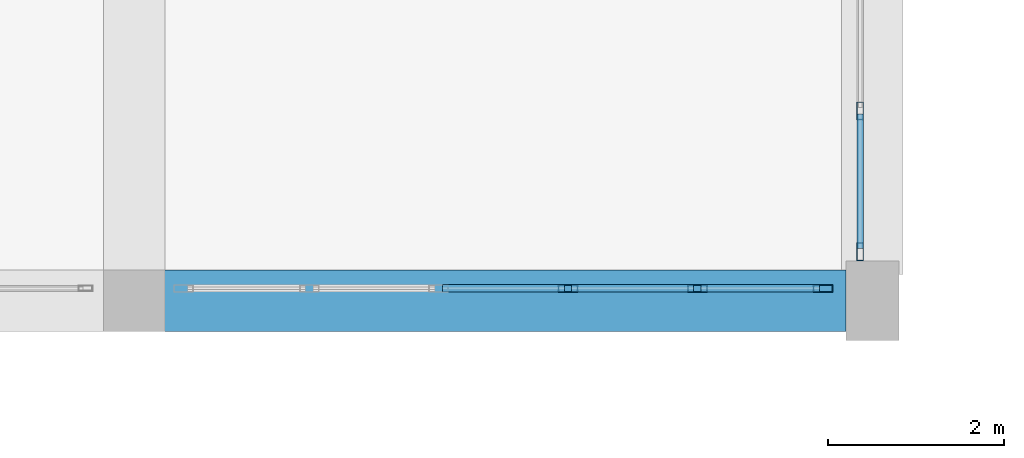
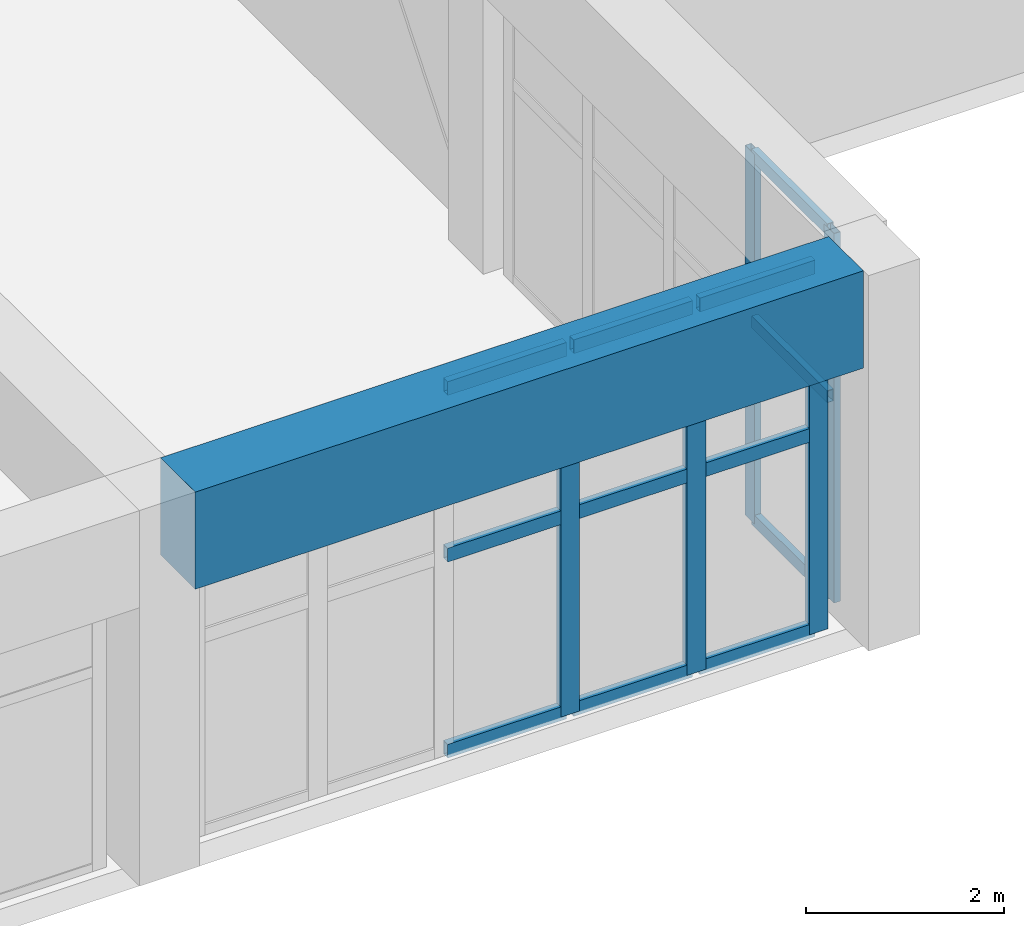
# One storey, part 20 of 72: 17 members, 1 beam, 2 elements without a shape of their own.
"""IFC4 building model written with IfcOpenShell, lengths in metres."""

from ifc_helpers import new_model, si_unit, direction, frame, origin, origin_2d, place, context, subcontext, project, spatial, rectangle, hollow_rectangle, extrude, material, layer, layer_set, material_profile, profile_set, type_object, element, aggregate, save


model = new_model("IFC4")

# Units and contexts
model_context = context("Model", 3, precision=1e-05, world=origin(), true_north=direction((0.0, 1.0)))
body_context = subcontext(model_context, "Body", "Model", "MODEL_VIEW")
ifc_project = project(units=[si_unit("LENGTHUNIT", "METRE"), si_unit("AREAUNIT", "SQUARE_METRE"), si_unit("VOLUMEUNIT", "CUBIC_METRE"), si_unit("PLANEANGLEUNIT", "RADIAN"), si_unit("MASSUNIT", "GRAM", prefix="KILO")], contexts=[model_context])

# Site, building, storey
site_placement = place(None, origin())
site = spatial("IfcSite", under=ifc_project, at=site_placement, CompositionType="ELEMENT")
building_placement = place(site_placement, origin())
building = spatial("IfcBuilding", under=site, at=building_placement, Name="Xicomal Pleat Aquarium", CompositionType="ELEMENT")
storey_placement = place(building_placement, frame((0.0, 0.0, 10.5)))
storey = spatial("IfcBuildingStorey", under=building, at=storey_placement, Name="L03", CompositionType="ELEMENT", Elevation=10.5)

# Beam
ifc_material_1 = material(Name="Concrete C45/55", Category="concrete")
ifc_material_profile_1 = material_profile(ifc_material_1, rectangle(XDim=0.699951171875, YDim=1.199951171875, at=origin_2d()), Name="RC 700x1200")
ifc_profile_set_1 = profile_set([ifc_material_profile_1], Name="Concrete C45/55")
beam_type = type_object("IfcBeamType", Name="BM-RC-700x1200", PredefinedType="SPANDREL", material=ifc_profile_set_1)
beam_placement = place(storey_placement, frame((86.10009765625, 30.39990234375, 4.034912109375), z_axis=(1.0, 0.0, 0.0), x_axis=(0.0, 1.0, 0.0)))
element("IfcBeam", 1, at=beam_placement, inside=storey, type_object=beam_type, Name="Ocean hall shell edge girder 11-12/E", PredefinedType="SPANDREL", context=body_context, shape_type="SweptSolid", body=[
    extrude(rectangle(XDim=0.699951171875, YDim=1.199951171875, at=origin_2d()), origin(), (0.0, 0.0, 1.0), 7.7998046875),
])

# Curtain wall, members
ifc_material_2 = material(Name="Bronze anodized aluminium 6063-T6", Category="aluminium")
ifc_layer_1 = layer(ifc_material_2, 0.159912109375)
ifc_layer_set_1 = layer_set([ifc_layer_1], Name="Bronze anodized aluminium 6063-T6")
curtain_wall_type_1 = type_object("IfcCurtainWallType", Name="CW-SYS-08", PredefinedType="NOTDEFINED", material=ifc_layer_set_1)
curtain_wall_1_placement = place(storey_placement, origin())
curtain_wall_1 = element("IfcCurtainWall", 2, at=curtain_wall_1_placement, inside=storey, type_object=curtain_wall_type_1, Name="L03 unitised curtain wall CW-L03-163", PredefinedType="NOTDEFINED")
ifc_material_3 = material(Name="Bronze anodized aluminium 6063-T6", Category="aluminium")
ifc_material_profile_2 = material_profile(ifc_material_3, hollow_rectangle(XDim=0.074951171875, YDim=0.199951171875, WallThickness=0.00439453125, at=origin_2d()), Name="ALU MULL 75x200")
ifc_profile_set_2 = profile_set([ifc_material_profile_2], Name="Bronze anodized aluminium 6063-T6")
member_type_1 = type_object("IfcMemberType", Name="CWM-75x200", PredefinedType="MULLION", material=ifc_profile_set_2)
member_1_placement = place(storey_placement, frame((94.06005859375, 32.56005859375, 0.0), z_axis=(0.0, 0.0, 1.0), x_axis=(1.0, 0.0, 0.0)))
member_1 = element("IfcMember", 3, at=member_1_placement, type_object=member_type_1, Name="CW-08 mullion 4", PredefinedType="MULLION", context=body_context, shape_type="SweptSolid", body=[
    extrude(hollow_rectangle(XDim=0.074951171875, YDim=0.199951171875, WallThickness=0.00439453125, at=origin_2d()), origin(), (0.0, 0.0, 1.0), 4.56005859375),
])
member_2_placement = place(storey_placement, frame((94.06005859375, 30.95751953125, 0.0), z_axis=(0.0, 0.0, 1.0), x_axis=(1.0, 0.0, 0.0)))
member_2 = element("IfcMember", 4, at=member_2_placement, type_object=member_type_1, Name="CW-08 mullion 5", PredefinedType="MULLION", context=body_context, shape_type="SweptSolid", body=[
    extrude(hollow_rectangle(XDim=0.074951171875, YDim=0.199951171875, WallThickness=0.00439453125, at=origin_2d()), origin(), (0.0, 0.0, 1.0), 4.56005859375),
])

ifc_material_4 = material(Name="Bronze anodized aluminium 6063-T6", Category="aluminium")
ifc_layer_2 = layer(ifc_material_4, 0.159912109375)
ifc_layer_set_2 = layer_set([ifc_layer_2], Name="Bronze anodized aluminium 6063-T6")
curtain_wall_type_2 = type_object("IfcCurtainWallType", Name="CW-SYS-03", PredefinedType="NOTDEFINED", material=ifc_layer_set_2)
curtain_wall_2_placement = place(storey_placement, origin())
curtain_wall_2 = element("IfcCurtainWall", 5, at=curtain_wall_2_placement, inside=storey, type_object=curtain_wall_type_2, Name="L03 unitised curtain wall CW-L03-164", PredefinedType="NOTDEFINED")
ifc_material_5 = material(Name="Bronze anodized aluminium 6063-T6", Category="aluminium")
ifc_material_profile_3 = material_profile(ifc_material_5, hollow_rectangle(XDim=0.0849609375, YDim=0.219970703125, WallThickness=0.0048828125, at=origin_2d()), Name="ALU MULL 85x220")
ifc_profile_set_3 = profile_set([ifc_material_profile_3], Name="Bronze anodized aluminium 6063-T6")
member_type_2 = type_object("IfcMemberType", Name="CWM-85x220", PredefinedType="MULLION", material=ifc_profile_set_3)
member_3_placement = place(storey_placement, frame((93.637451171875, 30.5400390625, 0.0), z_axis=(0.0, 0.0, 1.0), x_axis=(0.0, -1.0, 0.0)))
member_3 = element("IfcMember", 6, at=member_3_placement, type_object=member_type_2, Name="CW-03 mullion 1", PredefinedType="MULLION", context=body_context, shape_type="SweptSolid", body=[
    extrude(hollow_rectangle(XDim=0.0849609375, YDim=0.219970703125, WallThickness=0.0048828125, at=origin_2d()), origin(), (0.0, 0.0, 1.0), 4.56005859375),
])
member_4_placement = place(storey_placement, frame((92.2080078125, 30.5400390625, 0.0), z_axis=(0.0, 0.0, 1.0), x_axis=(0.0, -1.0, 0.0)))
member_4 = element("IfcMember", 7, at=member_4_placement, type_object=member_type_2, Name="CW-03 mullion 2", PredefinedType="MULLION", context=body_context, shape_type="SweptSolid", body=[
    extrude(hollow_rectangle(XDim=0.0849609375, YDim=0.219970703125, WallThickness=0.0048828125, at=origin_2d()), origin(), (0.0, 0.0, 1.0), 4.56005859375),
])
member_5_placement = place(storey_placement, frame((90.736083984375, 30.5400390625, 0.0), z_axis=(0.0, 0.0, 1.0), x_axis=(0.0, -1.0, 0.0)))
member_5 = element("IfcMember", 8, at=member_5_placement, type_object=member_type_2, Name="CW-03 mullion 3", PredefinedType="MULLION", context=body_context, shape_type="SweptSolid", body=[
    extrude(hollow_rectangle(XDim=0.0849609375, YDim=0.219970703125, WallThickness=0.0048828125, at=origin_2d()), origin(), (0.0, 0.0, 1.0), 4.56005859375),
])

# Member
ifc_material_6 = material(Name="Bronze anodized aluminium 6063-T6", Category="aluminium")
ifc_material_profile_4 = material_profile(ifc_material_6, hollow_rectangle(XDim=0.074951171875, YDim=0.14990234375, WallThickness=0.00439453125, at=origin_2d()), Name="ALU TRAN 75x150")
ifc_profile_set_4 = profile_set([ifc_material_profile_4], Name="Bronze anodized aluminium 6063-T6")
member_type_3 = type_object("IfcMemberType", Name="CWT-75x150", PredefinedType="USERDEFINED", material=ifc_profile_set_4)
member_6_placement = place(storey_placement, frame((94.06005859375, 32.5224609375, 0.03759765625), z_axis=(0.0, -1.0, 0.0), x_axis=(1.0, 0.0, 0.0)))
member_6 = element("IfcMember", 9, at=member_6_placement, type_object=member_type_3, Name="CW-08 transom 4.1", ObjectType="TRANSOM", PredefinedType="USERDEFINED", context=body_context, shape_type="SweptSolid", body=[
    extrude(hollow_rectangle(XDim=0.074951171875, YDim=0.14990234375, WallThickness=0.00439453125, at=origin_2d()), origin(), (0.0, 0.0, 1.0), 1.52734375),
])

member_7_placement = place(storey_placement, frame((94.06005859375, 32.5224609375, 2.4619140625), z_axis=(0.0, -1.0, 0.0), x_axis=(1.0, 0.0, 0.0)))
member_7 = element("IfcMember", 10, at=member_7_placement, type_object=member_type_3, Name="CW-08 transom 4.2", ObjectType="TRANSOM", PredefinedType="USERDEFINED", context=body_context, shape_type="SweptSolid", body=[
    extrude(hollow_rectangle(XDim=0.074951171875, YDim=0.14990234375, WallThickness=0.00439453125, at=origin_2d()), origin(), (0.0, 0.0, 1.0), 1.52734375),
])

member_8_placement = place(storey_placement, frame((94.06005859375, 32.5224609375, 4.5224609375), z_axis=(0.0, -1.0, 0.0), x_axis=(1.0, 0.0, 0.0)))
member_8 = element("IfcMember", 11, at=member_8_placement, type_object=member_type_3, Name="CW-08 transom 4.3", ObjectType="TRANSOM", PredefinedType="USERDEFINED", context=body_context, shape_type="SweptSolid", body=[
    extrude(hollow_rectangle(XDim=0.074951171875, YDim=0.14990234375, WallThickness=0.00439453125, at=origin_2d()), origin(), (0.0, 0.0, 1.0), 1.52734375),
])

aggregate(curtain_wall_1, [member_1, member_2, member_6, member_7, member_8])

ifc_material_7 = material(Name="Bronze anodized aluminium 6063-T6", Category="aluminium")
ifc_material_profile_5 = material_profile(ifc_material_7, hollow_rectangle(XDim=0.0849609375, YDim=0.169921875, WallThickness=0.0048828125, at=origin_2d()), Name="ALU TRAN 85x170")
ifc_profile_set_5 = profile_set([ifc_material_profile_5], Name="Bronze anodized aluminium 6063-T6")
member_type_4 = type_object("IfcMemberType", Name="CWT-85x170", PredefinedType="USERDEFINED", material=ifc_profile_set_5)
member_9_placement = place(storey_placement, frame((93.594970703125, 30.5400390625, 0.04248046875), z_axis=(-1.0, 0.0, 0.0), x_axis=(0.0, -1.0, 0.0)))
member_9 = element("IfcMember", 12, at=member_9_placement, type_object=member_type_4, Name="CW-03 transom 1.1", ObjectType="TRANSOM", PredefinedType="USERDEFINED", context=body_context, shape_type="SweptSolid", body=[
    extrude(hollow_rectangle(XDim=0.0849609375, YDim=0.169921875, WallThickness=0.0048828125, at=origin_2d()), origin(), (0.0, 0.0, 1.0), 1.344482421875),
])

member_10_placement = place(storey_placement, frame((93.594970703125, 30.5400390625, 2.4619140625), z_axis=(-1.0, 0.0, 0.0), x_axis=(0.0, -1.0, 0.0)))
member_10 = element("IfcMember", 13, at=member_10_placement, type_object=member_type_4, Name="CW-03 transom 1.2", ObjectType="TRANSOM", PredefinedType="USERDEFINED", context=body_context, shape_type="SweptSolid", body=[
    extrude(hollow_rectangle(XDim=0.0849609375, YDim=0.169921875, WallThickness=0.0048828125, at=origin_2d()), origin(), (0.0, 0.0, 1.0), 1.344482421875),
])

member_11_placement = place(storey_placement, frame((93.594970703125, 30.5400390625, 4.517578125), z_axis=(-1.0, 0.0, 0.0), x_axis=(0.0, -1.0, 0.0)))
member_11 = element("IfcMember", 14, at=member_11_placement, type_object=member_type_4, Name="CW-03 transom 1.3", ObjectType="TRANSOM", PredefinedType="USERDEFINED", context=body_context, shape_type="SweptSolid", body=[
    extrude(hollow_rectangle(XDim=0.0849609375, YDim=0.169921875, WallThickness=0.0048828125, at=origin_2d()), origin(), (0.0, 0.0, 1.0), 1.344482421875),
])

member_12_placement = place(storey_placement, frame((92.16552734375, 30.5400390625, 0.04248046875), z_axis=(-1.0, 0.0, 0.0), x_axis=(0.0, -1.0, 0.0)))
member_12 = element("IfcMember", 15, at=member_12_placement, type_object=member_type_4, Name="CW-03 transom 2.1", ObjectType="TRANSOM", PredefinedType="USERDEFINED", context=body_context, shape_type="SweptSolid", body=[
    extrude(hollow_rectangle(XDim=0.0849609375, YDim=0.169921875, WallThickness=0.0048828125, at=origin_2d()), origin(), (0.0, 0.0, 1.0), 1.386962890625),
])

member_13_placement = place(storey_placement, frame((92.16552734375, 30.5400390625, 2.4619140625), z_axis=(-1.0, 0.0, 0.0), x_axis=(0.0, -1.0, 0.0)))
member_13 = element("IfcMember", 16, at=member_13_placement, type_object=member_type_4, Name="CW-03 transom 2.2", ObjectType="TRANSOM", PredefinedType="USERDEFINED", context=body_context, shape_type="SweptSolid", body=[
    extrude(hollow_rectangle(XDim=0.0849609375, YDim=0.169921875, WallThickness=0.0048828125, at=origin_2d()), origin(), (0.0, 0.0, 1.0), 1.386962890625),
])

member_14_placement = place(storey_placement, frame((92.16552734375, 30.5400390625, 4.517578125), z_axis=(-1.0, 0.0, 0.0), x_axis=(0.0, -1.0, 0.0)))
member_14 = element("IfcMember", 17, at=member_14_placement, type_object=member_type_4, Name="CW-03 transom 2.3", ObjectType="TRANSOM", PredefinedType="USERDEFINED", context=body_context, shape_type="SweptSolid", body=[
    extrude(hollow_rectangle(XDim=0.0849609375, YDim=0.169921875, WallThickness=0.0048828125, at=origin_2d()), origin(), (0.0, 0.0, 1.0), 1.386962890625),
])

member_15_placement = place(storey_placement, frame((90.693603515625, 30.5400390625, 0.04248046875), z_axis=(-1.0, 0.0, 0.0), x_axis=(0.0, -1.0, 0.0)))
member_15 = element("IfcMember", 18, at=member_15_placement, type_object=member_type_4, Name="CW-03 transom 3.1", ObjectType="TRANSOM", PredefinedType="USERDEFINED", context=body_context, shape_type="SweptSolid", body=[
    extrude(hollow_rectangle(XDim=0.0849609375, YDim=0.169921875, WallThickness=0.0048828125, at=origin_2d()), origin(), (0.0, 0.0, 1.0), 1.38720703125),
])

member_16_placement = place(storey_placement, frame((90.693603515625, 30.5400390625, 2.4619140625), z_axis=(-1.0, 0.0, 0.0), x_axis=(0.0, -1.0, 0.0)))
member_16 = element("IfcMember", 19, at=member_16_placement, type_object=member_type_4, Name="CW-03 transom 3.2", ObjectType="TRANSOM", PredefinedType="USERDEFINED", context=body_context, shape_type="SweptSolid", body=[
    extrude(hollow_rectangle(XDim=0.0849609375, YDim=0.169921875, WallThickness=0.0048828125, at=origin_2d()), origin(), (0.0, 0.0, 1.0), 1.38720703125),
])

member_17_placement = place(storey_placement, frame((90.693603515625, 30.5400390625, 4.517578125), z_axis=(-1.0, 0.0, 0.0), x_axis=(0.0, -1.0, 0.0)))
member_17 = element("IfcMember", 20, at=member_17_placement, type_object=member_type_4, Name="CW-03 transom 3.3", ObjectType="TRANSOM", PredefinedType="USERDEFINED", context=body_context, shape_type="SweptSolid", body=[
    extrude(hollow_rectangle(XDim=0.0849609375, YDim=0.169921875, WallThickness=0.0048828125, at=origin_2d()), origin(), (0.0, 0.0, 1.0), 1.38720703125),
])

aggregate(curtain_wall_2, [member_3, member_4, member_5, member_9, member_10, member_11, member_12, member_13, member_14, member_15, member_16, member_17])

save(model, "model.ifc")
